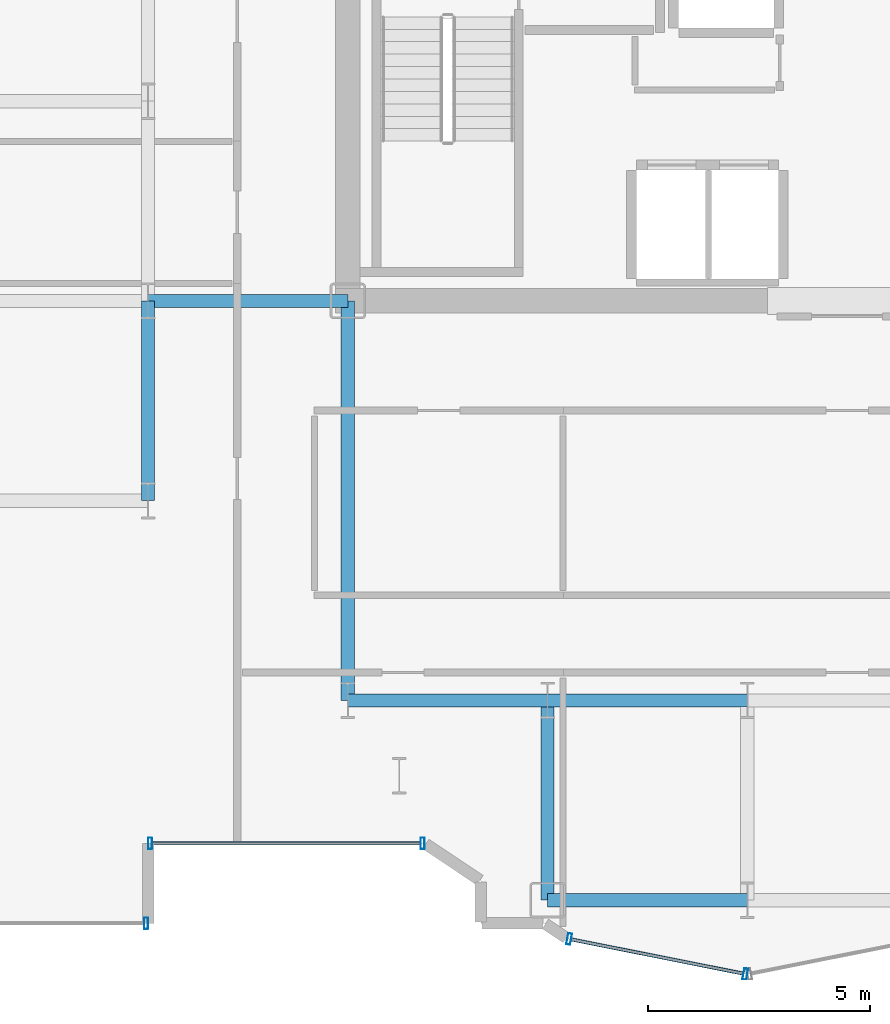
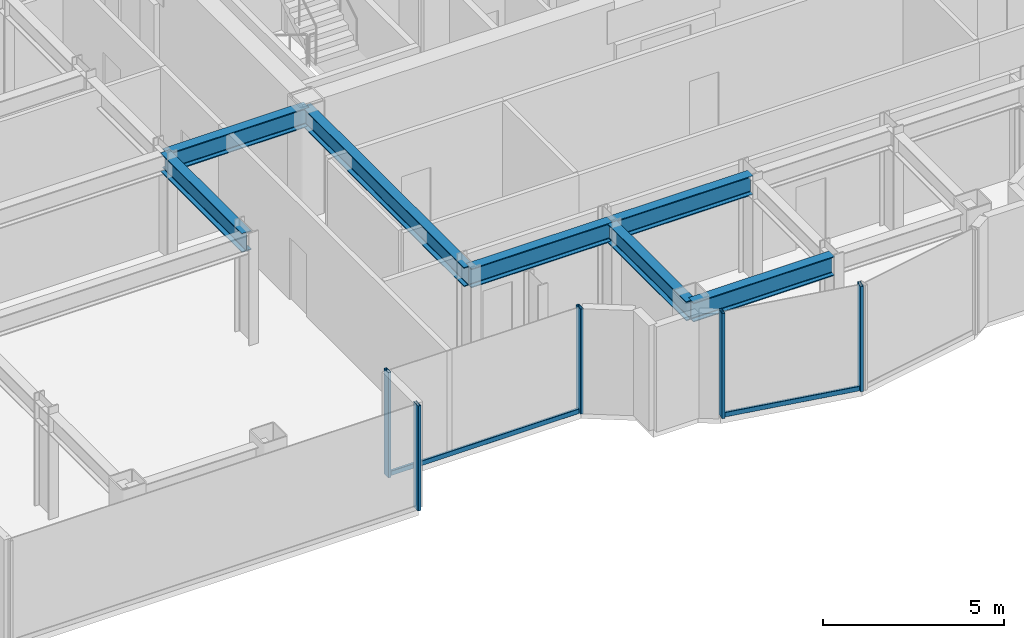
# One storey, part 5 of 23: 7 beams, 7 members, 3 elements without a shape of their own.
"""IFC4 building model written with IfcOpenShell, lengths in metres."""

from ifc_helpers import new_model, si_unit, direction, frame, origin, origin_2d, place, context, subcontext, project, spatial, hollow_rectangle, i_section, extrude, source, transform, mapped, material, layer, layer_set, material_profile, profile_set, type_object, element, aggregate, save


model = new_model("IFC4")

# Units and contexts
model_context = context("Model", 3, precision=1e-05, world=origin(), true_north=direction((0.0, 1.0)))
body_context = subcontext(model_context, "Body", "Model", "MODEL_VIEW")
ifc_project = project(units=[si_unit("LENGTHUNIT", "METRE"), si_unit("AREAUNIT", "SQUARE_METRE"), si_unit("VOLUMEUNIT", "CUBIC_METRE"), si_unit("PLANEANGLEUNIT", "RADIAN"), si_unit("MASSUNIT", "GRAM", prefix="KILO")], contexts=[model_context])

# Site, building, storey
site_placement = place(None, origin())
site = spatial("IfcSite", under=ifc_project, at=site_placement, CompositionType="ELEMENT")
building_placement = place(site_placement, origin())
building = spatial("IfcBuilding", under=site, at=building_placement, Name="Nefas-Gora Pilgrimage Tower", CompositionType="ELEMENT")
storey_placement = place(building_placement, frame((0.0, 0.0, 190.60009765625)))
storey = spatial("IfcBuildingStorey", under=building, at=storey_placement, Name="L47", CompositionType="ELEMENT", Elevation=190.60009765625)

# Beams
ifc_material_1 = material(Name="Steel S355", Category="steel")
ifc_material_profile_1 = material_profile(ifc_material_1, i_section(OverallWidth=0.300048828125, OverallDepth=0.64990234375, WebThickness=0.01611328125, FlangeThickness=0.031005859375, FilletRadius=0.027099609375, at=origin_2d()), Name="HEB 650")
ifc_profile_set_1 = profile_set([ifc_material_profile_1], Name="Steel S355")
beam_type = type_object("IfcBeamType", Name="BM-GIR-HEB650", PredefinedType="BEAM", material=ifc_profile_set_1)
shared_shape_1 = source(origin(), body_context, "Body", "SweptSolid", [
    extrude(i_section(OverallWidth=0.300048828125, OverallDepth=0.64990234375, WebThickness=0.01611328125, FlangeThickness=0.031005859375, FilletRadius=0.027099609375, at=origin_2d()), origin(), (0.0, 0.0, 1.0), 9.0),
])
beam_placement = place(storey_placement, frame((-11.25, -18.0, 3.224853515625), z_axis=(0.0, 1.0, 0.0), x_axis=(-1.0, 0.0, 0.0)))
element("IfcBeam", 1, at=beam_placement, inside=storey, type_object=beam_type, Name="L47 G-03 beam", PredefinedType="BEAM", context=body_context, shape_type="MappedRepresentation", body=[
    mapped(shared_shape_1, transform((0.0, 0.0, 0.0), x_axis=(1.0, 0.0, 0.0), y_axis=(0.0, 1.0, 0.0), z_axis=(0.0, 0.0, 1.0), scale=1.0)),
])
shared_shape_2 = source(origin(), body_context, "Body", "SweptSolid", [
    extrude(i_section(OverallWidth=0.300048828125, OverallDepth=0.64990234375, WebThickness=0.01611328125, FlangeThickness=0.031005859375, FilletRadius=0.027099609375, at=origin_2d()), origin(), (0.0, 0.0, 1.0), 4.5),
])
for number, where, z_axis, x_axis, name in (
    (2, (-15.75, -13.5, 3.224853515625), (0.0, 1.0, 0.0), (-1.0, 0.0, 0.0), "L47 G-03 beam"),
    (3, (-15.75, -9.0, 3.224853515625), (1.0, 0.0, 0.0), (0.0, 1.0, 0.0), "L47 G-03 beam"),
    (4, (-11.25, -18.0, 3.224853515625), (1.0, 0.0, 0.0), (0.0, 1.0, 0.0), "L47 G-03 beam"),
    (5, (-6.75, -22.5, 3.224853515625), (0.0, 1.0, 0.0), (-1.0, 0.0, 0.0), "L47 G-03 beam"),
    (6, (-6.75, -22.5, 3.224853515625), (1.0, 0.0, 0.0), (0.0, 1.0, 0.0), "L47 G-03 beam"),
    (7, (-6.75, -18.0, 3.224853515625), (1.0, 0.0, 0.0), (0.0, 1.0, 0.0), "L47 G-03 beam"),
):
    element("IfcBeam", number, at=place(storey_placement, frame(where, z_axis=z_axis, x_axis=x_axis)), inside=storey, type_object=beam_type, Name=name, PredefinedType="BEAM", context=body_context, shape_type="MappedRepresentation", body=[
        mapped(shared_shape_2, transform((0.0, 0.0, 0.0), x_axis=(1.0, 0.0, 0.0), y_axis=(0.0, 1.0, 0.0), z_axis=(0.0, 0.0, 1.0), scale=1.0)),
    ])

# Curtain wall, member
ifc_material_2 = material(Name="Dark ceramic-fritted solar-control aluminium-glass curtain wall", Category="aluminium")
ifc_layer_1 = layer(ifc_material_2, 0.219970703125)
ifc_layer_set_1 = layer_set([ifc_layer_1], Name="Dark ceramic-fritted solar-control aluminium-glass curtain wall")
curtain_wall_type_1 = type_object("IfcCurtainWallType", Name="CW-SYS-5", PredefinedType="NOTDEFINED", material=ifc_layer_set_1)
curtain_wall_1_placement = place(storey_placement, origin())
curtain_wall_1 = element("IfcCurtainWall", 8, at=curtain_wall_1_placement, inside=storey, type_object=curtain_wall_type_1, Name="L47 Unitised Curtain Wall CW5", PredefinedType="NOTDEFINED")
ifc_material_3 = material(Name="Anodised architectural aluminium", Category="aluminium")
ifc_material_profile_2 = material_profile(ifc_material_3, hollow_rectangle(XDim=0.080078125, YDim=0.159912109375, WallThickness=0.00439453125, InnerFilletRadius=0.00439453125, OuterFilletRadius=0.009033203125, at=origin_2d()), Name="ALU TRANSOM 80x160")
ifc_profile_set_2 = profile_set([ifc_material_profile_2], Name="Anodised architectural aluminium")
member_type_1 = type_object("IfcMemberType", Name="CWM-TRN-5", PredefinedType="USERDEFINED", material=ifc_profile_set_2)
shared_shape_3 = source(origin(), body_context, "Body", "SweptSolid", [
    extrude(hollow_rectangle(XDim=0.080078125, YDim=0.159912109375, WallThickness=0.00439453125, InnerFilletRadius=0.00439453125, OuterFilletRadius=0.009033203125, at=origin_2d()), origin(), (0.0, 0.0, 1.0), 6.052001953125),
])
member_1_placement = place(storey_placement, frame((-15.659912109375, -21.219970703125, 0.0498046875), z_axis=(1.0, 0.0, 0.0), x_axis=(0.0, 1.0, 0.0)))
member_1 = element("IfcMember", 9, at=member_1_placement, type_object=member_type_1, Name="CW5 Spandrel Transom", ObjectType="TRANSOM", PredefinedType="USERDEFINED", context=body_context, shape_type="MappedRepresentation", body=[
    mapped(shared_shape_3, transform((0.0, 0.0, 0.0), x_axis=(1.0, 0.0, 0.0), y_axis=(0.0, 1.0, 0.0), z_axis=(0.0, 0.0, 1.0), scale=1.0)),
])

curtain_wall_2_placement = place(storey_placement, origin())
curtain_wall_2 = element("IfcCurtainWall", 10, at=curtain_wall_2_placement, inside=storey, type_object=curtain_wall_type_1, Name="L47 Unitised Curtain Wall CW5", PredefinedType="NOTDEFINED")
shared_shape_4 = source(origin(), body_context, "Body", "SweptSolid", [
    extrude(hollow_rectangle(XDim=0.080078125, YDim=0.159912109375, WallThickness=0.00439453125, InnerFilletRadius=0.00439453125, OuterFilletRadius=0.009033203125, at=origin_2d()), origin(), (0.0, 0.0, 1.0), 3.95654296875),
])
member_2_placement = place(storey_placement, frame((-6.218994140625, -23.3828125, 0.0498046875), z_axis=(0.980781880918, -0.195107411605, 0.0), x_axis=(0.195107411605, 0.980781880918, 0.0)))
member_2 = element("IfcMember", 11, at=member_2_placement, type_object=member_type_1, Name="CW5 Spandrel Transom", ObjectType="TRANSOM", PredefinedType="USERDEFINED", context=body_context, shape_type="MappedRepresentation", body=[
    mapped(shared_shape_4, transform((0.0, 0.0, 0.0), x_axis=(1.0, 0.0, 0.0), y_axis=(0.0, 1.0, 0.0), z_axis=(0.0, 0.0, 1.0), scale=1.0)),
])

# Member
ifc_material_profile_3 = material_profile(ifc_material_3, hollow_rectangle(XDim=0.090087890625, YDim=0.260009765625, WallThickness=0.006103515625, InnerFilletRadius=0.006103515625, OuterFilletRadius=0.011962890625, at=origin_2d()), Name="ALU MULLION 90x260")
ifc_profile_set_3 = profile_set([ifc_material_profile_3], Name="Anodised architectural aluminium")
member_type_2 = type_object("IfcMemberType", Name="CWM-MUL-5", PredefinedType="MULLION", material=ifc_profile_set_3)
shared_shape_5 = source(origin(), body_context, "Body", "SweptSolid", [
    extrude(hollow_rectangle(XDim=0.090087890625, YDim=0.260009765625, WallThickness=0.006103515625, InnerFilletRadius=0.006103515625, OuterFilletRadius=0.011962890625, at=origin_2d()), origin(), (0.0, 0.0, 1.0), 3.5498046875),
])
member_3_placement = place(storey_placement, frame((-15.705078125, -21.219970703125, 0.0), z_axis=(0.0, 0.0, 1.0), x_axis=(1.0, 0.0, 0.0)))
member_3 = element("IfcMember", 12, at=member_3_placement, type_object=member_type_2, Name="CW5 Mullion 1", PredefinedType="MULLION", context=body_context, shape_type="MappedRepresentation", body=[
    mapped(shared_shape_5, transform((0.0, 0.0, 0.0), x_axis=(1.0, 0.0, 0.0), y_axis=(0.0, 1.0, 0.0), z_axis=(0.0, 0.0, 1.0), scale=1.0)),
])

member_4_placement = place(storey_placement, frame((-9.56298828125, -21.219970703125, 0.0), z_axis=(0.0, 0.0, 1.0), x_axis=(1.0, 0.0, 0.0)))
member_4 = element("IfcMember", 13, at=member_4_placement, type_object=member_type_2, Name="CW5 Mullion 2", PredefinedType="MULLION", context=body_context, shape_type="MappedRepresentation", body=[
    mapped(shared_shape_5, transform((0.0, 0.0, 0.0), x_axis=(1.0, 0.0, 0.0), y_axis=(0.0, 1.0, 0.0), z_axis=(0.0, 0.0, 1.0), scale=1.0)),
])

aggregate(curtain_wall_1, [member_3, member_4, member_1])

member_5_placement = place(storey_placement, frame((-6.26318359375, -23.3740234375, 0.0), z_axis=(0.0, 0.0, 1.0), x_axis=(0.980782896852, -0.195102304554, 0.0)))
member_5 = element("IfcMember", 14, at=member_5_placement, type_object=member_type_2, Name="CW5 Mullion 1", PredefinedType="MULLION", context=body_context, shape_type="MappedRepresentation", body=[
    mapped(shared_shape_5, transform((0.0, 0.0, 0.0), x_axis=(1.0, 0.0, 0.0), y_axis=(0.0, 1.0, 0.0), z_axis=(0.0, 0.0, 1.0), scale=1.0)),
])

member_6_placement = place(storey_placement, frame((-2.294189453125, -24.16357421875, 0.0), z_axis=(0.0, 0.0, 1.0), x_axis=(0.980782896852, -0.195102304554, 0.0)))
member_6 = element("IfcMember", 15, at=member_6_placement, type_object=member_type_2, Name="CW5 Mullion 2", PredefinedType="MULLION", context=body_context, shape_type="MappedRepresentation", body=[
    mapped(shared_shape_5, transform((0.0, 0.0, 0.0), x_axis=(1.0, 0.0, 0.0), y_axis=(0.0, 1.0, 0.0), z_axis=(0.0, 0.0, 1.0), scale=1.0)),
])

aggregate(curtain_wall_2, [member_5, member_6, member_2])

# Curtain wall, member
ifc_layer_2 = layer(ifc_material_2, 0.219970703125)
ifc_layer_set_2 = layer_set([ifc_layer_2], Name="Dark ceramic-fritted solar-control aluminium-glass curtain wall")
curtain_wall_type_2 = type_object("IfcCurtainWallType", Name="CW-SYS-3", PredefinedType="NOTDEFINED", material=ifc_layer_set_2)
curtain_wall_3_placement = place(storey_placement, origin())
curtain_wall_3 = element("IfcCurtainWall", 16, at=curtain_wall_3_placement, inside=storey, type_object=curtain_wall_type_2, Name="L47 Unitised Curtain Wall CW3", PredefinedType="NOTDEFINED")
ifc_material_profile_4 = material_profile(ifc_material_3, hollow_rectangle(XDim=0.090087890625, YDim=0.260009765625, WallThickness=0.006103515625, InnerFilletRadius=0.006103515625, OuterFilletRadius=0.011962890625, at=origin_2d()), Name="ALU MULLION 90x260")
ifc_profile_set_4 = profile_set([ifc_material_profile_4], Name="Anodised architectural aluminium")
member_type_3 = type_object("IfcMemberType", Name="CWM-MUL-3", PredefinedType="MULLION", material=ifc_profile_set_4)
shared_shape_6 = source(origin(), body_context, "Body", "SweptSolid", [
    extrude(hollow_rectangle(XDim=0.090087890625, YDim=0.260009765625, WallThickness=0.006103515625, InnerFilletRadius=0.006103515625, OuterFilletRadius=0.011962890625, at=origin_2d()), origin(), (0.0, 0.0, 1.0), 3.5498046875),
])
member_7_placement = place(storey_placement, frame((-15.794921875, -23.02001953125, 0.0), z_axis=(0.0, 0.0, 1.0), x_axis=(1.0, 0.0, 0.0)))
member_7 = element("IfcMember", 17, at=member_7_placement, type_object=member_type_3, Name="CW3 Mullion 2", PredefinedType="MULLION", context=body_context, shape_type="MappedRepresentation", body=[
    mapped(shared_shape_6, transform((0.0, 0.0, 0.0), x_axis=(1.0, 0.0, 0.0), y_axis=(0.0, 1.0, 0.0), z_axis=(0.0, 0.0, 1.0), scale=1.0)),
])
aggregate(curtain_wall_3, [member_7])

save(model, "model.ifc")
